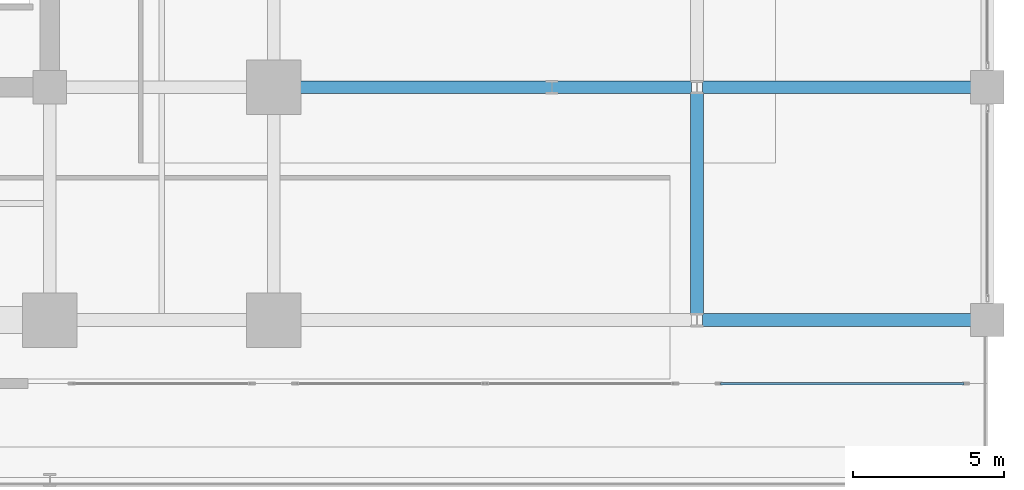
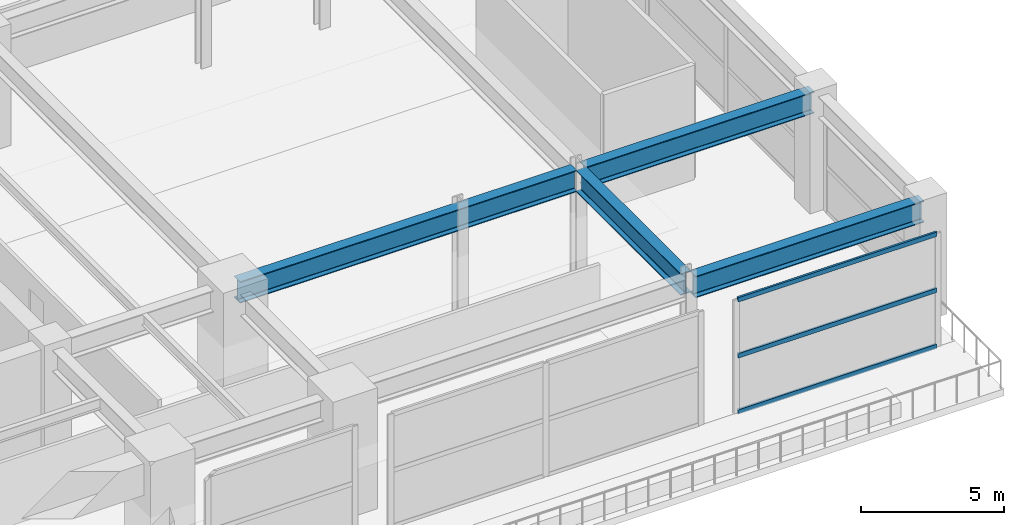
# One storey, part 21 of 35: 4 beams, 3 members, 1 element without a shape of its own.
"""IFC4 building model written with IfcOpenShell, lengths in metres."""

from ifc_helpers import new_model, si_unit, direction, frame, origin, origin_2d, place, context, subcontext, project, spatial, hollow_rectangle, i_section, extrude, material, material_profile, profile_set, type_object, element, aggregate, save


model = new_model("IFC4")

# Units and contexts
model_context = context("Model", 3, precision=1e-05, world=origin(), true_north=direction((0.0, 1.0)))
body_context = subcontext(model_context, "Body", "Model", "MODEL_VIEW")
ifc_project = project(units=[si_unit("LENGTHUNIT", "METRE"), si_unit("AREAUNIT", "SQUARE_METRE"), si_unit("VOLUMEUNIT", "CUBIC_METRE"), si_unit("PLANEANGLEUNIT", "RADIAN"), si_unit("MASSUNIT", "GRAM", prefix="KILO")], contexts=[model_context])

# Site, building, storey
site_placement = place(None, origin())
site = spatial("IfcSite", under=ifc_project, at=site_placement, CompositionType="ELEMENT")
building_placement = place(site_placement, origin())
building = spatial("IfcBuilding", under=site, at=building_placement, Name="Kovane Verandah Tower", CompositionType="ELEMENT")
storey_placement = place(building_placement, frame((0.0, 0.0, 16.39990234375)))
storey = spatial("IfcBuildingStorey", under=building, at=storey_placement, Name="L03", CompositionType="ELEMENT", Elevation=16.39990234375)

# Beams
ifc_material_1 = material(Name="Steel S460", Category="steel")
ifc_material_profile_1 = material_profile(ifc_material_1, i_section(OverallWidth=0.42041015625, OverallDepth=0.9208984375, WebThickness=0.021484375, FlangeThickness=0.03662109375, FilletRadius=0.024169921875, at=origin_2d()), Name="UB914x419x388")
ifc_profile_set_1 = profile_set([ifc_material_profile_1], Name="Steel S460")
beam_type = type_object("IfcBeamType", Name="BM-UB914x388", PredefinedType="BEAM", material=ifc_profile_set_1)
beam_1_placement = place(storey_placement, frame((72.580078125, 10.800048828125, 4.439697265625), z_axis=(1.0, 0.0, 0.0), x_axis=(0.0, 1.0, 0.0)))
element("IfcBeam", 1, at=beam_1_placement, inside=storey, type_object=beam_type, Name="L03 Podium Garden Transfer Girder X04", PredefinedType="BEAM", context=body_context, shape_type="SweptSolid", body=[
    extrude(i_section(OverallWidth=0.42041015625, OverallDepth=0.9208984375, WebThickness=0.021484375, FlangeThickness=0.03662109375, FilletRadius=0.024169921875, at=origin_2d()), origin(), (0.0, 0.0, 1.0), 9.239990234375),
])
beam_2_placement = place(storey_placement, frame((58.580078125, 18.5, 4.439697265625), z_axis=(1.0, 0.0, 0.0), x_axis=(0.0, 1.0, 0.0)))
element("IfcBeam", 2, at=beam_2_placement, inside=storey, type_object=beam_type, Name="L03 Podium Garden Transfer Girder X07", PredefinedType="BEAM", context=body_context, shape_type="SweptSolid", body=[
    extrude(i_section(OverallWidth=0.42041015625, OverallDepth=0.9208984375, WebThickness=0.021484375, FlangeThickness=0.03662109375, FilletRadius=0.024169921875, at=origin_2d()), origin(), (0.0, 0.0, 1.0), 13.639892578125),
])
beam_3_placement = place(storey_placement, frame((72.580078125, 18.5, 4.439697265625), z_axis=(1.0, 0.0, 0.0), x_axis=(0.0, 1.0, 0.0)))
element("IfcBeam", 3, at=beam_3_placement, inside=storey, type_object=beam_type, Name="L03 Podium Garden Transfer Girder X08", PredefinedType="BEAM", context=body_context, shape_type="SweptSolid", body=[
    extrude(i_section(OverallWidth=0.42041015625, OverallDepth=0.9208984375, WebThickness=0.021484375, FlangeThickness=0.03662109375, FilletRadius=0.024169921875, at=origin_2d()), origin(), (0.0, 0.0, 1.0), 9.239990234375),
])
beam_4_placement = place(storey_placement, frame((72.39990234375, 10.97998046875, 4.439697265625), z_axis=(0.0, 1.0, 0.0), x_axis=(-1.0, 0.0, 0.0)))
element("IfcBeam", 4, at=beam_4_placement, inside=storey, type_object=beam_type, Name="L03 Podium Garden Transfer Girder Y36", PredefinedType="BEAM", context=body_context, shape_type="SweptSolid", body=[
    extrude(i_section(OverallWidth=0.42041015625, OverallDepth=0.9208984375, WebThickness=0.021484375, FlangeThickness=0.03662109375, FilletRadius=0.024169921875, at=origin_2d()), origin(), (0.0, 0.0, 1.0), 7.340087890625),
])

# Curtain wall, members
ifc_material_2 = material(Name="Champagne Anodised Aluminium Frame with Low-E Clear Laminated Glass", Category="aluminium")
curtain_wall_type = type_object("IfcCurtainWallType", Name="CW-SYS-01-POD", PredefinedType="NOTDEFINED", material=ifc_material_2)
curtain_wall_placement = place(storey_placement, origin())
curtain_wall = element("IfcCurtainWall", 5, at=curtain_wall_placement, inside=storey, type_object=curtain_wall_type, Name="L03 South Podium Curtain Wall Bay 7.1", PredefinedType="NOTDEFINED")
ifc_material_3 = material(Name="Champagne Anodised Aluminium 6063-T6", Category="aluminium")
ifc_material_profile_2 = material_profile(ifc_material_3, hollow_rectangle(XDim=0.0849609375, YDim=0.18994140625, WallThickness=0.00390625, at=origin_2d()), Name="AL85x190x4")
ifc_profile_set_2 = profile_set([ifc_material_profile_2], Name="Champagne Anodised Aluminium 6063-T6")
member_type = type_object("IfcMemberType", Name="CW-TRN-85x190", PredefinedType="USERDEFINED", material=ifc_profile_set_2)
member_1_placement = place(storey_placement, frame((73.169921875, 8.699951171875, 0.050048828125), z_axis=(1.0, 0.0, 0.0), x_axis=(0.0, 1.0, 0.0)))
member_1 = element("IfcMember", 6, at=member_1_placement, type_object=member_type, Name="L03 South Podium Curtain Wall Bay 7.1 Transom TB Bay 1", ObjectType="TRANSOM", PredefinedType="USERDEFINED", context=body_context, shape_type="SweptSolid", body=[
    extrude(hollow_rectangle(XDim=0.0849609375, YDim=0.18994140625, WallThickness=0.00390625, at=origin_2d()), origin(), (0.0, 0.0, 1.0), 8.06005859375),
])
member_2_placement = place(storey_placement, frame((73.169921875, 8.699951171875, 2.4501953125), z_axis=(1.0, 0.0, 0.0), x_axis=(0.0, 1.0, 0.0)))
member_2 = element("IfcMember", 7, at=member_2_placement, type_object=member_type, Name="L03 South Podium Curtain Wall Bay 7.1 Transom TM Bay 1", ObjectType="TRANSOM", PredefinedType="USERDEFINED", context=body_context, shape_type="SweptSolid", body=[
    extrude(hollow_rectangle(XDim=0.0849609375, YDim=0.18994140625, WallThickness=0.00390625, at=origin_2d()), origin(), (0.0, 0.0, 1.0), 8.06005859375),
])
member_3_placement = place(storey_placement, frame((73.169921875, 8.699951171875, 4.85009765625), z_axis=(1.0, 0.0, 0.0), x_axis=(0.0, 1.0, 0.0)))
member_3 = element("IfcMember", 8, at=member_3_placement, type_object=member_type, Name="L03 South Podium Curtain Wall Bay 7.1 Transom TT Bay 1", ObjectType="TRANSOM", PredefinedType="USERDEFINED", context=body_context, shape_type="SweptSolid", body=[
    extrude(hollow_rectangle(XDim=0.0849609375, YDim=0.18994140625, WallThickness=0.00390625, at=origin_2d()), origin(), (0.0, 0.0, 1.0), 8.06005859375),
])
aggregate(curtain_wall, [member_1, member_2, member_3])

save(model, "model.ifc")
